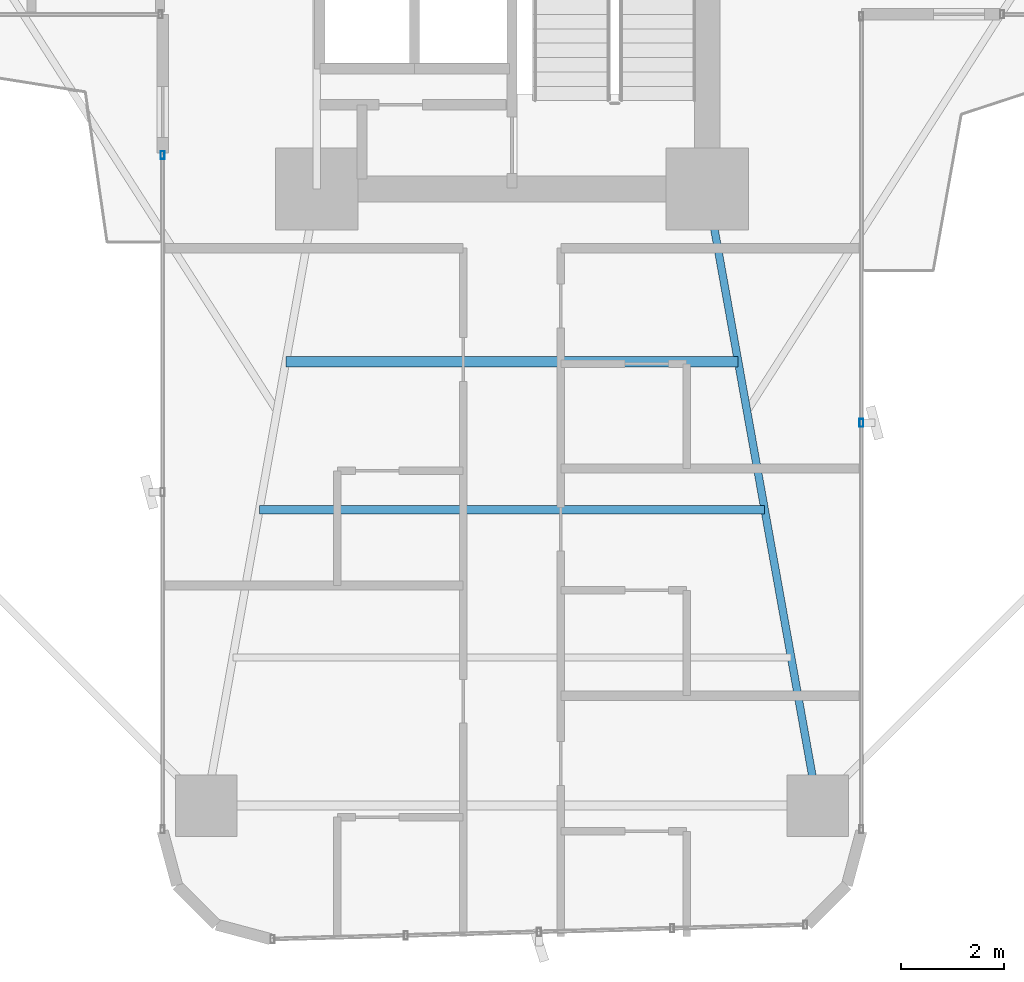
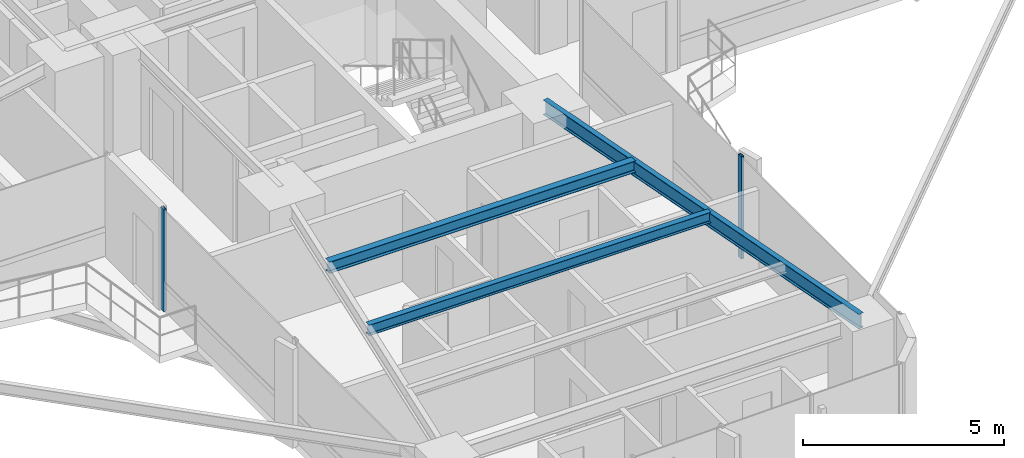
# One storey, part 4 of 25: 3 beams, 2 members, 2 elements without a shape of their own.
"""IFC4 building model written with IfcOpenShell, lengths in metres."""

import ifcopenshell
import ifcopenshell.guid

model = None  # the IFC model being written
_history = None  # IfcOwnerHistory: only IFC2X3 demands one
_inside = {}  # id of a spatial element -> (the spatial element, [elements in it])
_under = {}  # id of a project, library or spatial element -> (it, [spatial elements below it])
_declared = {}  # id of a project -> (the project, [libraries it declares])
_typed = {}  # id of a type object -> (the type object, [elements of that type])
_made_of = {}  # id of a material, layer set ... -> (it, [elements and type objects made of it])


def new_model(schema):
    """Start an empty IFC model of exactly this schema.

    Asked for "IFC4X3", IfcOpenShell would pick the latest addendum, in which some entities
    have other attributes; the version numbers below select the first issue.
    IFC2X3 requires an IfcOwnerHistory on every rooted entity: one is made here for all.
    """
    global model, _history
    if schema == "IFC4X3":
        model = ifcopenshell.file(schema_version=(4, 3, 0, 0))
    else:
        model = ifcopenshell.file(schema=schema)
    _inside.clear()
    _under.clear()
    _declared.clear()
    _typed.clear()
    _made_of.clear()
    _history = None
    if model.schema == "IFC2X3":
        org = make("IfcOrganization", Name="unknown")
        user = make(
            "IfcPersonAndOrganization",
            ThePerson=make("IfcPerson", FamilyName="unknown"),
            TheOrganization=org,
        )
        app = make(
            "IfcApplication",
            ApplicationDeveloper=org,
            Version="unknown",
            ApplicationFullName="unknown",
            ApplicationIdentifier="unknown",
        )
        _history = make(
            "IfcOwnerHistory",
            OwningUser=user,
            OwningApplication=app,
            ChangeAction="ADDED",
            CreationDate=0,
        )
    return model


def make(cls, **values):
    """One entity of the class cls with the attributes given. An attribute that is None is left unset."""
    return model.create_entity(
        cls, **{name: value for name, value in values.items() if value is not None}
    )


def rooted(cls, **values):
    """An entity with a GlobalId (a new one), such as an element, a storey or a relation."""
    return make(cls, GlobalId=ifcopenshell.guid.new(), OwnerHistory=_history, **values)


def si_unit(unit_type, name, prefix=None):
    """IfcSIUnit, for example si_unit("LENGTHUNIT", "METRE", prefix="MILLI")."""
    return make("IfcSIUnit", UnitType=unit_type, Prefix=prefix, Name=name)


def assignment(units):
    """IfcUnitAssignment: the units of a project."""
    return None if units is None else make("IfcUnitAssignment", Units=units)


def point(xyz):
    """IfcCartesianPoint."""
    return None if xyz is None else make("IfcCartesianPoint", Coordinates=xyz)


def direction(xyz):
    """IfcDirection."""
    return None if xyz is None else make("IfcDirection", DirectionRatios=xyz)


def frame(location, z_axis=None, x_axis=None):
    """IfcAxis2Placement3D, a coordinate frame: its origin and axes. An axis left out is left unset."""
    return make(
        "IfcAxis2Placement3D",
        Location=point(location),
        Axis=direction(z_axis),
        RefDirection=direction(x_axis),
    )


def frame_2d(location, x_axis=None):
    """IfcAxis2Placement2D, a coordinate frame in the plane: its origin and x axis."""
    return make(
        "IfcAxis2Placement2D", Location=point(location), RefDirection=direction(x_axis)
    )


def origin():
    """The frame at (0, 0, 0) with its axes left unset."""
    return frame((0.0, 0.0, 0.0))


def origin_2d():
    """The frame at (0, 0) in the plane with its x axis left unset."""
    return frame_2d((0.0, 0.0))


def place(relative_to, where):
    """IfcLocalPlacement: puts the frame where relative to a parent placement (None: the world)."""
    return make(
        "IfcLocalPlacement", PlacementRelTo=relative_to, RelativePlacement=where
    )


def context(
    kind, dimensions, precision=None, world=None, true_north=None, identifier=None
):
    """IfcGeometricRepresentationContext, for example the 3D "Model" context."""
    return make(
        "IfcGeometricRepresentationContext",
        ContextIdentifier=identifier,
        ContextType=kind,
        CoordinateSpaceDimension=dimensions,
        Precision=precision,
        WorldCoordinateSystem=world,
        TrueNorth=true_north,
    )


def subcontext(parent, identifier, kind, view, scale=None):
    """IfcGeometricRepresentationSubContext, for example "Body" below "Model"."""
    return make(
        "IfcGeometricRepresentationSubContext",
        ContextIdentifier=identifier,
        ContextType=kind,
        ParentContext=parent,
        TargetScale=scale,
        TargetView=view,
    )


def project(units=None, contexts=None):
    """IfcProject with its units and contexts."""
    return rooted(
        "IfcProject",
        Name="project",
        RepresentationContexts=contexts,
        UnitsInContext=assignment(units),
    )


def spatial(cls, under=None, at=None, **own):
    """A site, building, storey or space (cls), placed at a placement, below another one or the project."""
    s = rooted(cls, ObjectPlacement=at, **own)
    if under is not None:
        _under.setdefault(under.id(), (under, []))[1].append(s)
    return s


def profile(cls, at=None, kind="AREA", **sizes):
    """A parametric profile (cls). Its sizes go by their IFC names, for example OverallWidth=200.0."""
    return make(cls, ProfileType=kind, Position=at, **sizes)


def hollow_rectangle(**sizes):
    """IfcRectangleHollowProfileDef."""
    return profile("IfcRectangleHollowProfileDef", **sizes)


def i_section(**sizes):
    """IfcIShapeProfileDef."""
    return profile("IfcIShapeProfileDef", **sizes)


def extrude(swept, where, along, depth):
    """IfcExtrudedAreaSolid: the profile swept, set in the frame where, extruded along a direction by depth."""
    return make(
        "IfcExtrudedAreaSolid",
        SweptArea=swept,
        Position=where,
        ExtrudedDirection=direction(along),
        Depth=depth,
    )


def shape(context_of_items, identifier, shape_type, items):
    """IfcShapeRepresentation: the items that make up one representation, for example the "Body"."""
    return make(
        "IfcShapeRepresentation",
        ContextOfItems=context_of_items,
        RepresentationIdentifier=identifier,
        RepresentationType=shape_type,
        Items=items,
    )


def source(mapping_origin, context_of_items, identifier, shape_type, items):
    """IfcRepresentationMap: a shape defined once, which mapped items show again and again."""
    return make(
        "IfcRepresentationMap",
        MappingOrigin=mapping_origin,
        MappedRepresentation=shape(context_of_items, identifier, shape_type, items),
    )


def transform(
    local_origin,
    x_axis=None,
    y_axis=None,
    z_axis=None,
    scale=None,
    scale2=None,
    scale3=None,
    uniform=True,
):
    """IfcCartesianTransformationOperator3D, or its non-uniform kind. x_axis, y_axis, z_axis: its Axis1, 2, 3."""
    if uniform:
        return make(
            "IfcCartesianTransformationOperator3D",
            Axis1=direction(x_axis),
            Axis2=direction(y_axis),
            LocalOrigin=point(local_origin),
            Scale=scale,
            Axis3=direction(z_axis),
        )
    return make(
        "IfcCartesianTransformationOperator3DnonUniform",
        Axis1=direction(x_axis),
        Axis2=direction(y_axis),
        LocalOrigin=point(local_origin),
        Scale=scale,
        Axis3=direction(z_axis),
        Scale2=scale2,
        Scale3=scale3,
    )


def mapped(mapping_source, mapping_target):
    """IfcMappedItem: shows the shape of a source again, moved by a transform."""
    return make(
        "IfcMappedItem", MappingSource=mapping_source, MappingTarget=mapping_target
    )


def material(Name=None, Category=None):
    """IfcMaterial."""
    return make("IfcMaterial", Name=Name, Category=Category)


def material_profile(
    of_material, cross_section, Name=None, Category=None, Priority=None
):
    """IfcMaterialProfile: a cross section and its material."""
    return make(
        "IfcMaterialProfile",
        Name=Name,
        Material=of_material,
        Profile=cross_section,
        Priority=Priority,
        Category=Category,
    )


def profile_set(profiles, Name=None, composite=None):
    """IfcMaterialProfileSet."""
    return make(
        "IfcMaterialProfileSet",
        Name=Name,
        MaterialProfiles=profiles,
        CompositeProfile=composite,
    )


def made_of(thing, what):
    """Note that an element or type object is made of a material, layer set ...; save() writes the relation."""
    if what is not None:
        _made_of.setdefault(what.id(), (what, []))[1].append(thing)
    return thing


def type_object(cls, material=None, **own):
    """A type object (cls), such as IfcWallType, which elements share."""
    return made_of(rooted(cls, **own), material)


def element(
    cls,
    number,
    at=None,
    inside=None,
    cuts=None,
    type_object=None,
    material=None,
    context=None,
    identifier="Body",
    shape_type=None,
    held_by="IfcProductDefinitionShape",
    body=None,
    shapes=None,
    **own,
):
    """One element of the class cls, such as IfcWall. Its Tag is "e" and its number.

    at: its placement. inside: the storey or other place that contains it. cuts: it is an
    opening in that element (IfcRelVoidsElement). A single representation is given by context,
    identifier, shape_type and body (its items); several are given by shapes. held_by: the class
    of the entity that holds the representations. save() writes the other relations.
    """
    e = rooted(cls, Tag="e%d" % number, ObjectPlacement=at, **own)
    if body is not None:
        shapes = [shape(context, identifier, shape_type, body)]
    if shapes is not None:
        e.Representation = make(held_by, Representations=shapes)
    if inside is not None:
        _inside.setdefault(inside.id(), (inside, []))[1].append(e)
    if cuts is not None:
        rooted(
            "IfcRelVoidsElement", RelatingBuildingElement=cuts, RelatedOpeningElement=e
        )
    if type_object is not None:
        _typed.setdefault(type_object.id(), (type_object, []))[1].append(e)
    return made_of(e, material)


def aggregate(whole, parts):
    """IfcRelAggregates: a whole, such as a stair, and the parts it consists of."""
    return rooted("IfcRelAggregates", RelatingObject=whole, RelatedObjects=parts)


def save(model, path):
    """Write the relations noted so far, then the file.

    IfcRelAggregates (storeys below a building ...), IfcRelContainedInSpatialStructure (elements
    in a storey), IfcRelDefinesByType, IfcRelAssociatesMaterial and IfcRelDeclares: one each for
    every whole, place, type object, material and project.
    """
    for whole, parts in _under.values():
        aggregate(whole, parts)
    for where, things in _inside.values():
        rooted(
            "IfcRelContainedInSpatialStructure",
            RelatedElements=things,
            RelatingStructure=where,
        )
    for kind, things in _typed.values():
        rooted("IfcRelDefinesByType", RelatedObjects=things, RelatingType=kind)
    for what, things in _made_of.values():
        rooted("IfcRelAssociatesMaterial", RelatedObjects=things, RelatingMaterial=what)
    for by, libraries in _declared.values():
        rooted("IfcRelDeclares", RelatingContext=by, RelatedDefinitions=libraries)
    model.write(path)


model = new_model("IFC4")

# Units and contexts
model_context = context("Model", 3, precision=1e-05, world=origin(), true_north=direction((0.0, 1.0)))
body_context = subcontext(model_context, "Body", "Model", "MODEL_VIEW")
ifc_project = project(units=[si_unit("LENGTHUNIT", "METRE"), si_unit("AREAUNIT", "SQUARE_METRE"), si_unit("VOLUMEUNIT", "CUBIC_METRE"), si_unit("PLANEANGLEUNIT", "RADIAN"), si_unit("MASSUNIT", "GRAM", prefix="KILO")], contexts=[model_context])

# Site, building, storey
site_placement = place(None, origin())
site = spatial("IfcSite", under=ifc_project, at=site_placement, CompositionType="ELEMENT")
building_placement = place(site_placement, origin())
building = spatial("IfcBuilding", under=site, at=building_placement, Name="Sahyath Konkavel Grand Hotel", CompositionType="ELEMENT")
storey_placement = place(building_placement, frame((0.0, 0.0, 64.449951171875)))
storey = spatial("IfcBuildingStorey", under=building, at=storey_placement, Name="L17", CompositionType="ELEMENT", Elevation=64.449951171875)

# Beams
ifc_material_1 = material(Name="Steel E350", Category="steel")
ifc_material_profile_1 = material_profile(ifc_material_1, i_section(OverallWidth=0.14990234375, OverallDepth=0.449951171875, WebThickness=0.009521484375, FlangeThickness=0.017333984375, FilletRadius=0.014892578125, at=origin_2d()), Name="ISMB 450")
ifc_profile_set_1 = profile_set([ifc_material_profile_1], Name="Steel E350")
beam_type_1 = type_object("IfcBeamType", Name="BM-ISMB450", PredefinedType="BEAM", material=ifc_profile_set_1)
shared_shape_1 = source(origin(), body_context, "Body", "SweptSolid", [
    extrude(i_section(OverallWidth=0.14990234375, OverallDepth=0.449951171875, WebThickness=0.009521484375, FlangeThickness=0.017333984375, FilletRadius=0.014892578125, at=origin_2d()), origin(), (0.0, 0.0, 1.0), 12.191162109375),
])
beam_1_placement = place(storey_placement, frame((3.800048828125, -10.199951171875, 2.885009765625), z_axis=(0.176350650305, -0.984327409014, 0.0), x_axis=(0.984327409014, 0.176350650305, 0.0)))
element("IfcBeam", 1, at=beam_1_placement, inside=storey, type_object=beam_type_1, Name="L17 Cruciform Radial Girder SB", PredefinedType="BEAM", context=body_context, shape_type="MappedRepresentation", body=[
    mapped(shared_shape_1, transform((0.0, 0.0, 0.0), scale=1.0)),
])
ifc_material_profile_2 = material_profile(ifc_material_1, i_section(OverallWidth=0.199951171875, OverallDepth=0.35009765625, WebThickness=0.008056640625, FlangeThickness=0.011474609375, FilletRadius=0.013916015625, at=origin_2d()), Name="ISWB 350")
ifc_profile_set_2 = profile_set([ifc_material_profile_2], Name="Steel E350")
beam_type_2 = type_object("IfcBeamType", Name="BM-ISWB350", PredefinedType="BEAM", material=ifc_profile_set_2)
shared_shape_2 = source(origin(), body_context, "Body", "SweptSolid", [
    extrude(i_section(OverallWidth=0.199951171875, OverallDepth=0.35009765625, WebThickness=0.008056640625, FlangeThickness=0.011474609375, FilletRadius=0.013916015625, at=origin_2d()), origin(), (0.0, 0.0, 1.0), 8.80419921875),
])
beam_2_placement = place(storey_placement, frame((-4.402099609375, -13.56005859375, 2.93505859375), z_axis=(1.0, 0.0, 0.0), x_axis=(0.0, 1.0, 0.0)))
element("IfcBeam", 2, at=beam_2_placement, inside=storey, type_object=beam_type_2, Name="L17 Secondary Floor Beam S-1", PredefinedType="BEAM", context=body_context, shape_type="MappedRepresentation", body=[
    mapped(shared_shape_2, transform((0.0, 0.0, 0.0), scale=1.0)),
])
ifc_material_profile_3 = material_profile(ifc_material_1, i_section(OverallWidth=0.1650390625, OverallDepth=0.324951171875, WebThickness=0.007080078125, FlangeThickness=0.009765625, FilletRadius=0.014892578125, at=origin_2d()), Name="ISLB 325")
ifc_profile_set_3 = profile_set([ifc_material_profile_3], Name="Steel E350")
beam_type_3 = type_object("IfcBeamType", Name="BM-ISLB325", PredefinedType="BEAM", material=ifc_profile_set_3)
shared_shape_3 = source(origin(), body_context, "Body", "SweptSolid", [
    extrude(i_section(OverallWidth=0.1650390625, OverallDepth=0.324951171875, WebThickness=0.007080078125, FlangeThickness=0.009765625, FilletRadius=0.014892578125, at=origin_2d()), origin(), (0.0, 0.0, 1.0), 9.8359375),
])
beam_3_placement = place(storey_placement, frame((-4.91796875, -16.43994140625, 2.947509765625), z_axis=(1.0, 0.0, 0.0), x_axis=(0.0, 1.0, 0.0)))
element("IfcBeam", 3, at=beam_3_placement, inside=storey, type_object=beam_type_3, Name="L17 Secondary Floor Beam S-2", PredefinedType="BEAM", context=body_context, shape_type="MappedRepresentation", body=[
    mapped(shared_shape_3, transform((0.0, 0.0, 0.0), scale=1.0)),
])

# Curtain wall, member
ifc_material_2 = material(Name="Anodised Bronze Aluminium & Low-E Glazing", Category="aluminium")
curtain_wall_type = type_object("IfcCurtainWallType", Name="CW-ZONE1", PredefinedType="NOTDEFINED", material=ifc_material_2)
curtain_wall_1_placement = place(storey_placement, origin())
curtain_wall_1 = element("IfcCurtainWall", 4, at=curtain_wall_1_placement, inside=storey, type_object=curtain_wall_type, Name="L17 Unitised Curtain Wall F24", PredefinedType="NOTDEFINED")
ifc_material_3 = material(Name="Anodised Bronze Aluminium", Category="aluminium")
ifc_material_profile_4 = material_profile(ifc_material_3, hollow_rectangle(XDim=0.080078125, YDim=0.159912109375, WallThickness=0.006103515625, at=origin_2d()), Name="RHS 160x80x6")
ifc_profile_set_4 = profile_set([ifc_material_profile_4], Name="Anodised Bronze Aluminium")
member_type = type_object("IfcMemberType", Name="CW-MUL-160", PredefinedType="MULLION", material=ifc_profile_set_4)
shared_shape_4 = source(origin(), body_context, "Body", "SweptSolid", [
    extrude(hollow_rectangle(XDim=0.080078125, YDim=0.159912109375, WallThickness=0.006103515625, at=origin_2d()), origin(), (0.0, 0.0, 1.0), 3.110107421875),
])
member_1_placement = place(storey_placement, frame((-6.800048828125, -9.5400390625, 0.0), z_axis=(0.0, 0.0, 1.0), x_axis=(1.0, 0.0, 0.0)))
member_1 = element("IfcMember", 5, at=member_1_placement, type_object=member_type, Name="L17 Curtain Wall Mullion F24-0", PredefinedType="MULLION", context=body_context, shape_type="MappedRepresentation", body=[
    mapped(shared_shape_4, transform((0.0, 0.0, 0.0), scale=1.0)),
])
aggregate(curtain_wall_1, [member_1])

curtain_wall_2_placement = place(storey_placement, origin())
curtain_wall_2 = element("IfcCurtainWall", 6, at=curtain_wall_2_placement, inside=storey, type_object=curtain_wall_type, Name="L17 Unitised Curtain Wall F31", PredefinedType="NOTDEFINED")
member_2_placement = place(storey_placement, frame((6.800048828125, -14.75, 0.0), z_axis=(0.0, 0.0, 1.0), x_axis=(1.0, 0.0, 0.0)))
member_2 = element("IfcMember", 7, at=member_2_placement, type_object=member_type, Name="L17 Curtain Wall Mullion F31-1", PredefinedType="MULLION", context=body_context, shape_type="MappedRepresentation", body=[
    mapped(shared_shape_4, transform((0.0, 0.0, 0.0), scale=1.0)),
])
aggregate(curtain_wall_2, [member_2])

save(model, "model.ifc")
